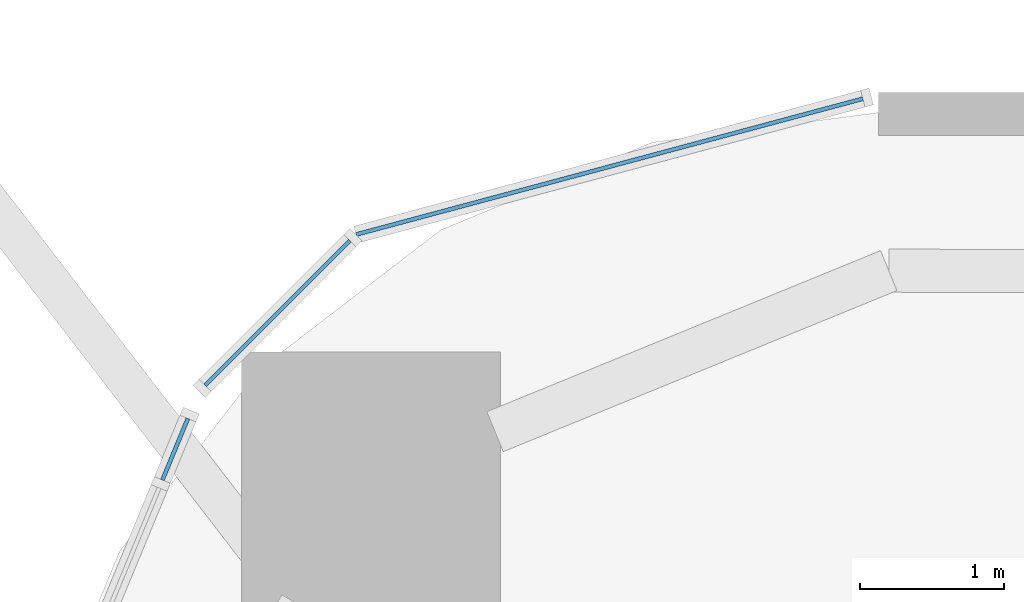
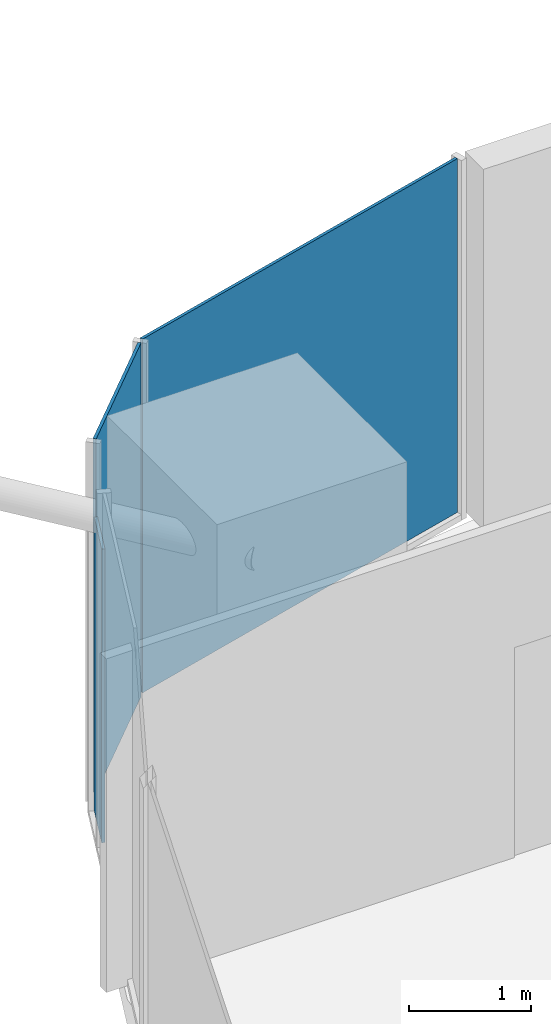
# One storey, part 22 of 34: 3 plates, 3 elements without a shape of their own.
"""IFC4 building model written with IfcOpenShell, lengths in metres."""

from ifc_helpers import new_model, si_unit, direction, frame, origin, origin_2d, place, context, subcontext, project, spatial, rectangle, extrude, material, layer, layer_set, type_object, element, aggregate, save


model = new_model("IFC4")

# Units and contexts
model_context = context("Model", 3, precision=1e-05, world=origin(), true_north=direction((0.0, 1.0)))
body_context = subcontext(model_context, "Body", "Model", "MODEL_VIEW")
ifc_project = project(units=[si_unit("LENGTHUNIT", "METRE"), si_unit("AREAUNIT", "SQUARE_METRE"), si_unit("VOLUMEUNIT", "CUBIC_METRE"), si_unit("PLANEANGLEUNIT", "RADIAN"), si_unit("MASSUNIT", "GRAM", prefix="KILO")], contexts=[model_context])

# Site, building, storey
site_placement = place(None, origin())
site = spatial("IfcSite", under=ifc_project, at=site_placement, CompositionType="ELEMENT")
building_placement = place(site_placement, origin())
building = spatial("IfcBuilding", under=site, at=building_placement, Name="Marenta Gate Hotel Tower", CompositionType="ELEMENT")
storey_placement = place(building_placement, frame((0.0, 0.0, 47.300048828125)))
storey = spatial("IfcBuildingStorey", under=building, at=storey_placement, Name="L09", CompositionType="ELEMENT", Elevation=47.300048828125)

# Curtain wall, plate
ifc_material_1 = material(Name="Tinted insulated glass in bronze anodised frame", Category="glass")
ifc_layer_1 = layer(ifc_material_1, 0.1201171875)
ifc_layer_set_1 = layer_set([ifc_layer_1], Name="Tinted insulated glass in bronze anodised frame")
curtain_wall_type = type_object("IfcCurtainWallType", Name="Tower unitised curtain wall CW1", PredefinedType="NOTDEFINED", material=ifc_layer_set_1)
curtain_wall_1_placement = place(storey_placement, origin())
curtain_wall_1 = element("IfcCurtainWall", 1, at=curtain_wall_1_placement, inside=storey, type_object=curtain_wall_type, Name="CW1 run G00", PredefinedType="NOTDEFINED")
ifc_material_2 = material(Name="Tinted insulated glass", Category="glass")
ifc_layer_2 = layer(ifc_material_2, 0.028076171875)
ifc_layer_set_2 = layer_set([ifc_layer_2], Name="Tinted insulated glass")
plate_type = type_object("IfcPlateType", Name="Glass panel CW1 28 mm tinted insulated unit", PredefinedType="CURTAIN_PANEL", material=ifc_layer_set_2)
plate_1_placement = place(storey_placement, frame((-25.277099609375, 33.3232421875, 0.059814453125), z_axis=(0.0, 0.0, 1.0), x_axis=(-0.965930485164, -0.258801657317, 0.0)))
plate_1 = element("IfcPlate", 2, at=plate_1_placement, type_object=plate_type, Name="CW1 panel 1.1", PredefinedType="CURTAIN_PANEL", context=body_context, shape_type="SweptSolid", body=[
    extrude(rectangle(XDim=3.64990234375, YDim=0.028076171875, at=origin_2d()), origin(), (0.0, 0.0, 1.0), 3.5400390625),
])
aggregate(curtain_wall_1, [plate_1])

curtain_wall_2_placement = place(storey_placement, origin())
curtain_wall_2 = element("IfcCurtainWall", 3, at=curtain_wall_2_placement, inside=storey, type_object=curtain_wall_type, Name="CW1 run G01", PredefinedType="NOTDEFINED")
plate_2_placement = place(storey_placement, frame((-27.58544921875, 32.305419921875, 0.059814453125), z_axis=(0.0, 0.0, 1.0), x_axis=(-0.707106781187, -0.707106781187, 0.0)))
plate_2 = element("IfcPlate", 4, at=plate_2_placement, type_object=plate_type, Name="CW1 panel 1.1", PredefinedType="CURTAIN_PANEL", context=body_context, shape_type="SweptSolid", body=[
    extrude(rectangle(XDim=1.4228515625, YDim=0.028076171875, at=origin_2d()), origin(), (0.0, 0.0, 1.0), 3.5400390625),
])
aggregate(curtain_wall_2, [plate_2])

curtain_wall_3_placement = place(storey_placement, origin())
curtain_wall_3 = element("IfcCurtainWall", 5, at=curtain_wall_3_placement, inside=storey, type_object=curtain_wall_type, Name="CW1 run G02", PredefinedType="NOTDEFINED")
plate_3_placement = place(storey_placement, frame((-28.29736328125, 31.35791015625, 0.059814453125), z_axis=(0.0, 0.0, 1.0), x_axis=(-0.382684306245, -0.923879170538, 0.0)))
plate_3 = element("IfcPlate", 6, at=plate_3_placement, type_object=plate_type, Name="CW1 panel 1.1", PredefinedType="CURTAIN_PANEL", context=body_context, shape_type="SweptSolid", body=[
    extrude(rectangle(XDim=0.46240234375, YDim=0.028076171875, at=origin_2d()), origin(), (0.0, 0.0, 1.0), 2.9404296875),
])
aggregate(curtain_wall_3, [plate_3])

save(model, "model.ifc")
